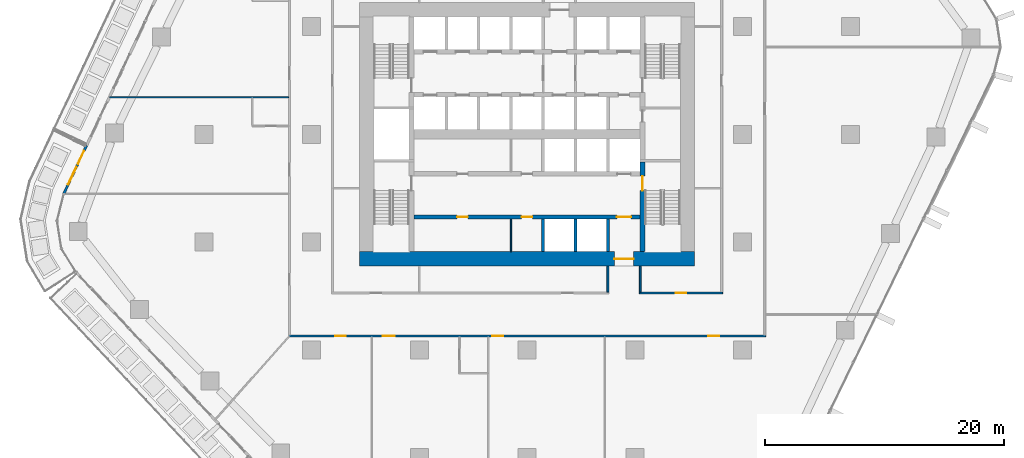
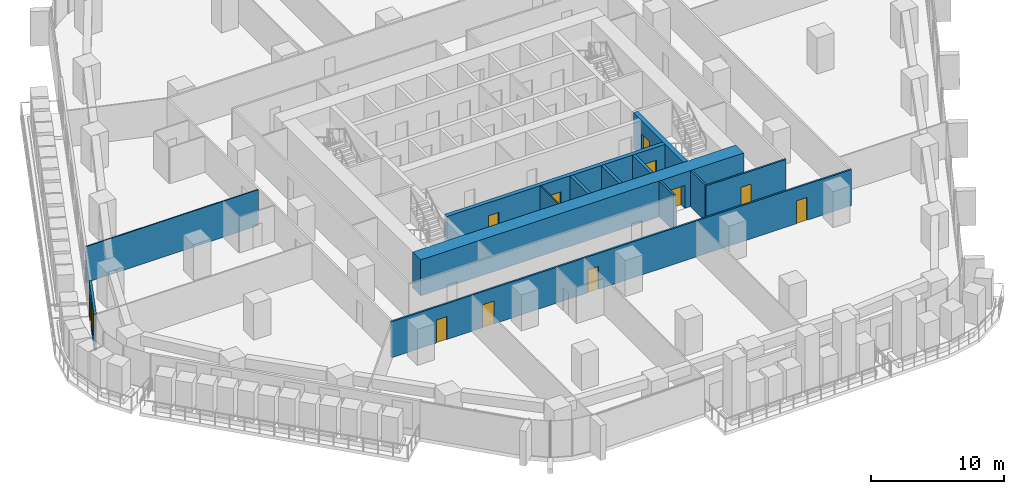
# One storey, part 14 of 25: 13 walls, 11 doors, 1 window, 12 openings.
"""IFC4 building model written with IfcOpenShell, lengths in metres."""

from ifc_helpers import new_model, si_unit, direction, frame, frame_2d, origin, place, context, subcontext, project, spatial, rectangle, extrude, material, layer, layer_set, type_object, element, fill, save


model = new_model("IFC4")

# Units and contexts
model_context = context("Model", 3, precision=1e-05, world=origin(), true_north=direction((0.0, 1.0)))
body_context = subcontext(model_context, "Body", "Model", "MODEL_VIEW")
ifc_project = project(units=[si_unit("LENGTHUNIT", "METRE"), si_unit("AREAUNIT", "SQUARE_METRE"), si_unit("VOLUMEUNIT", "CUBIC_METRE"), si_unit("PLANEANGLEUNIT", "RADIAN"), si_unit("MASSUNIT", "GRAM", prefix="KILO")], contexts=[model_context])

# Site, building, storey
site_placement = place(None, origin())
site = spatial("IfcSite", under=ifc_project, at=site_placement, CompositionType="ELEMENT")
building_placement = place(site_placement, origin())
building = spatial("IfcBuilding", under=site, at=building_placement, Name="Dongbaek Canopy Tower", CompositionType="ELEMENT")
storey_placement = place(building_placement, frame((0.0, 0.0, 81.0)))
storey = spatial("IfcBuildingStorey", under=building, at=storey_placement, Name="L16", CompositionType="ELEMENT", Elevation=81.0)

# Wall, openings, doors
ifc_material_1 = material(Name="Concrete C60/75", Category="concrete")
ifc_layer_1 = layer(ifc_material_1, 0.35009765625)
ifc_layer_set_1 = layer_set([ifc_layer_1], Name="Core lobby wall 350 Concrete C60/75")
wall_type_1 = type_object("IfcWallType", Name="Core lobby wall 350 Concrete C60/75", PredefinedType="SHEAR", material=ifc_layer_set_1)
wall_1_placement = place(storey_placement, frame((9.449951171875, -6.89990234375, 0.0), z_axis=(0.0, 0.0, 1.0), x_axis=(-1.0, 0.0, 0.0)))
wall_1 = element("IfcWall", 1, at=wall_1_placement, inside=storey, type_object=wall_type_1, Name="Core wall", PredefinedType="SHEAR", context=body_context, shape_type="SweptSolid", body=[
    extrude(rectangle(XDim=18.89990234375, YDim=0.35009765625, at=frame_2d((9.449951171875, 0.0))), origin(), (0.0, 0.0, 1.0), 3.300048828125),
])
opening_1_placement = place(wall_1_placement, frame((0.75, 0.0, 0.0)))
opening_1 = element("IfcOpeningElement", 2, at=opening_1_placement, cuts=wall_1, Name="Opening L16-D040", PredefinedType="OPENING", context=body_context, shape_type="SweptSolid", body=[
    extrude(rectangle(XDim=1.199951171875, YDim=2.10009765625, at=frame_2d((0.60009765625, 1.050048828125))), frame((0.0, 0.18505859375, 0.0), z_axis=(0.0, -1.0, 0.0), x_axis=(1.0, 0.0, 0.0)), (0.0, 0.0, 1.0), 0.3701171875),
])
opening_2_placement = place(wall_1_placement, frame((14.39990234375, 0.0, 0.0)))
opening_2 = element("IfcOpeningElement", 3, at=opening_2_placement, cuts=wall_1, Name="Opening L16-D043", PredefinedType="OPENING", context=body_context, shape_type="SweptSolid", body=[
    extrude(rectangle(XDim=0.89990234375, YDim=2.10009765625, at=frame_2d((0.449951171875, 1.050048828125))), frame((0.0, 0.18505859375, 0.0), z_axis=(0.0, -1.0, 0.0), x_axis=(1.0, 0.0, 0.0)), (0.0, 0.0, 1.0), 0.3701171875),
])
opening_3_placement = place(wall_1_placement, frame((9.0, 0.0, 0.0)))
opening_3 = element("IfcOpeningElement", 4, at=opening_3_placement, cuts=wall_1, Name="Opening L16-D044", PredefinedType="OPENING", context=body_context, shape_type="SweptSolid", body=[
    extrude(rectangle(XDim=0.89990234375, YDim=2.10009765625, at=frame_2d((0.449951171875, 1.050048828125))), frame((0.0, 0.18505859375, 0.0), z_axis=(0.0, -1.0, 0.0), x_axis=(1.0, 0.0, 0.0)), (0.0, 0.0, 1.0), 0.3701171875),
])
ifc_material_2 = material(Name="Steel", Category="steel")
door_type_1 = type_object("IfcDoorType", Name="Core room door 900 x 2100", OperationType="SINGLE_SWING_LEFT", PredefinedType="DOOR", material=ifc_material_2)
door_1_placement = place(opening_2_placement, origin())
door_1 = element("IfcDoor", 5, at=door_1_placement, inside=storey, type_object=door_type_1, Name="Door L16-D043", OperationType="SINGLE_SWING_RIGHT", OverallHeight=2.10009765625, OverallWidth=0.89990234375, PredefinedType="DOOR", context=body_context, shape_type="SweptSolid", body=[
    extrude(rectangle(XDim=0.89990234375, YDim=2.10009765625, at=frame_2d((0.449951171875, 1.050048828125))), frame((0.0, 0.02490234375, 0.0), z_axis=(0.0, -1.0, 0.0), x_axis=(1.0, 0.0, 0.0)), (0.0, 0.0, 1.0), 0.050048828125),
])
fill(opening_2, door_1)
door_2_placement = place(opening_3_placement, origin())
door_2 = element("IfcDoor", 6, at=door_2_placement, inside=storey, type_object=door_type_1, Name="Door L16-D044", OperationType="SINGLE_SWING_LEFT", OverallHeight=2.10009765625, OverallWidth=0.89990234375, PredefinedType="DOOR", context=body_context, shape_type="SweptSolid", body=[
    extrude(rectangle(XDim=0.89990234375, YDim=2.10009765625, at=frame_2d((0.449951171875, 1.050048828125))), frame((0.0, 0.02490234375, 0.0), z_axis=(0.0, -1.0, 0.0), x_axis=(1.0, 0.0, 0.0)), (0.0, 0.0, 1.0), 0.050048828125),
])
fill(opening_3, door_2)
ifc_material_3 = material(Name="Steel", Category="steel")
door_type_2 = type_object("IfcDoorType", Name="Fire lobby door 1200 x 2100", OperationType="SINGLE_SWING_LEFT", PredefinedType="DOOR", material=ifc_material_3)
door_3_placement = place(opening_1_placement, origin())
door_3 = element("IfcDoor", 7, at=door_3_placement, inside=storey, type_object=door_type_2, Name="Door L16-D040", OperationType="SINGLE_SWING_LEFT", OverallHeight=2.10009765625, OverallWidth=1.199951171875, PredefinedType="DOOR", context=body_context, shape_type="SweptSolid", body=[
    extrude(rectangle(XDim=1.199951171875, YDim=2.10009765625, at=frame_2d((0.60009765625, 1.050048828125))), frame((0.0, 0.02490234375, 0.0), z_axis=(0.0, -1.0, 0.0), x_axis=(1.0, 0.0, 0.0)), (0.0, 0.0, 1.0), 0.050048828125),
])
fill(opening_1, door_3)

# Wall, opening, door
ifc_material_4 = material(Name="Concrete C60/75", Category="concrete")
ifc_layer_2 = layer(ifc_material_4, 1.199951171875)
ifc_layer_set_2 = layer_set([ifc_layer_2], Name="Core outer wall 1200 Concrete C60/75")
wall_type_2 = type_object("IfcWallType", Name="Core outer wall 1200 Concrete C60/75", PredefinedType="SHEAR", material=ifc_layer_set_2)
wall_2_placement = place(storey_placement, frame((14.0, -10.39990234375, 0.0), z_axis=(0.0, 0.0, 1.0), x_axis=(-1.0, 0.0, 0.0)))
wall_2 = element("IfcWall", 8, at=wall_2_placement, inside=storey, type_object=wall_type_2, Name="Core wall", PredefinedType="SHEAR", context=body_context, shape_type="SweptSolid", body=[
    extrude(rectangle(XDim=28.0, YDim=1.199951171875, at=frame_2d((14.0, 0.0))), origin(), (0.0, 0.0, 1.0), 3.300048828125),
])
opening_4_placement = place(wall_2_placement, frame((5.10009765625, 0.0, 0.0)))
opening_4 = element("IfcOpeningElement", 9, at=opening_4_placement, cuts=wall_2, Name="Opening L16-D039", PredefinedType="OPENING", context=body_context, shape_type="SweptSolid", body=[
    extrude(rectangle(XDim=1.60009765625, YDim=2.10009765625, at=frame_2d((0.800048828125, 1.050048828125))), frame((0.0, 0.60986328125, 0.0), z_axis=(0.0, -1.0, 0.0), x_axis=(1.0, 0.0, 0.0)), (0.0, 0.0, 1.0), 1.219970703125),
])
ifc_material_5 = material(Name="Steel", Category="steel")
door_type_3 = type_object("IfcDoorType", Name="Core exit door 1600 x 2100", OperationType="DOUBLE_DOOR_SINGLE_SWING", PredefinedType="DOOR", material=ifc_material_5)
door_4_placement = place(opening_4_placement, origin())
door_4 = element("IfcDoor", 10, at=door_4_placement, inside=storey, type_object=door_type_3, Name="Core exit door", OperationType="DOUBLE_DOOR_SINGLE_SWING", OverallHeight=2.10009765625, OverallWidth=1.60009765625, PredefinedType="DOOR", context=body_context, shape_type="SweptSolid", body=[
    extrude(rectangle(XDim=1.60009765625, YDim=2.10009765625, at=frame_2d((0.800048828125, 1.050048828125))), frame((0.0, 0.02490234375, 0.0), z_axis=(0.0, -1.0, 0.0), x_axis=(1.0, 0.0, 0.0)), (0.0, 0.0, 1.0), 0.050048828125),
])
fill(opening_4, door_4)

# Wall, openings, doors
ifc_material_6 = material(Name="Gypsum board partition, steel stud, 2 x 15 mm fire board", Category="steel")
ifc_layer_3 = layer(ifc_material_6, 0.14990234375)
ifc_layer_set_3 = layer_set([ifc_layer_3], Name="Fire-rated partition 150 gypsum board")
wall_type_3 = type_object("IfcWallType", Name="Fire-rated partition 150 gypsum board", PredefinedType="PARTITIONING", material=ifc_layer_set_3)
wall_3_placement = place(storey_placement, frame((19.925048828125, -16.85009765625, 0.0), z_axis=(0.0, 0.0, 1.0), x_axis=(-1.0, 0.0, 0.0)))
wall_3 = element("IfcWall", 11, at=wall_3_placement, inside=storey, type_object=wall_type_3, Name="Corridor partition", PredefinedType="PARTITIONING", context=body_context, shape_type="SweptSolid", body=[
    extrude(rectangle(XDim=39.85009765625, YDim=0.14990234375, at=frame_2d((19.925048828125, 0.0))), origin(), (0.0, 0.0, 1.0), 3.300048828125),
])
opening_5_placement = place(wall_3_placement, frame((35.059814453125, 0.0, 0.0)))
opening_5 = element("IfcOpeningElement", 12, at=opening_5_placement, cuts=wall_3, Name="Opening L16-D004", PredefinedType="OPENING", context=body_context, shape_type="SweptSolid", body=[
    extrude(rectangle(XDim=0.89990234375, YDim=2.10009765625, at=frame_2d((0.449951171875, 1.050048828125))), frame((0.0, 0.0849609375, 0.0), z_axis=(0.0, -1.0, 0.0), x_axis=(1.0, 0.0, 0.0)), (0.0, 0.0, 1.0), 0.169921875),
])
opening_6_placement = place(wall_3_placement, frame((30.96728515625, 0.0, 0.0)))
opening_6 = element("IfcOpeningElement", 13, at=opening_6_placement, cuts=wall_3, Name="Opening L16-D006", PredefinedType="OPENING", context=body_context, shape_type="SweptSolid", body=[
    extrude(rectangle(XDim=1.0, YDim=2.10009765625, at=frame_2d((0.5, 1.050048828125))), frame((0.0, 0.0849609375, 0.0), z_axis=(0.0, -1.0, 0.0), x_axis=(1.0, 0.0, 0.0)), (0.0, 0.0, 1.0), 0.169921875),
])
opening_7_placement = place(wall_3_placement, frame((21.93359375, 0.0, 0.0)))
opening_7 = element("IfcOpeningElement", 14, at=opening_7_placement, cuts=wall_3, Name="Opening L16-D007", PredefinedType="OPENING", context=body_context, shape_type="SweptSolid", body=[
    extrude(rectangle(XDim=0.89990234375, YDim=2.10009765625, at=frame_2d((0.449951171875, 1.050048828125))), frame((0.0, 0.0849609375, 0.0), z_axis=(0.0, -1.0, 0.0), x_axis=(1.0, 0.0, 0.0)), (0.0, 0.0, 1.0), 0.169921875),
])
opening_8_placement = place(wall_3_placement, frame((3.878662109375, 0.0, 0.0)))
opening_8 = element("IfcOpeningElement", 15, at=opening_8_placement, cuts=wall_3, Name="Opening L16-D008", PredefinedType="OPENING", context=body_context, shape_type="SweptSolid", body=[
    extrude(rectangle(XDim=0.89990234375, YDim=2.10009765625, at=frame_2d((0.449951171875, 1.050048828125))), frame((0.0, 0.0849609375, 0.0), z_axis=(0.0, -1.0, 0.0), x_axis=(1.0, 0.0, 0.0)), (0.0, 0.0, 1.0), 0.169921875),
])
ifc_material_7 = material(Name="Timber veneered door leaf", Category="wood")
door_type_4 = type_object("IfcDoorType", Name="Guest room door 1000 x 2100", OperationType="SINGLE_SWING_LEFT", PredefinedType="DOOR", material=ifc_material_7)
door_5_placement = place(opening_6_placement, origin())
door_5 = element("IfcDoor", 16, at=door_5_placement, inside=storey, type_object=door_type_4, Name="Door L16-D006", OperationType="SINGLE_SWING_LEFT", OverallHeight=2.10009765625, OverallWidth=1.0, PredefinedType="DOOR", context=body_context, shape_type="SweptSolid", body=[
    extrude(rectangle(XDim=1.0, YDim=2.10009765625, at=frame_2d((0.5, 1.050048828125))), frame((0.0, 0.02490234375, 0.0), z_axis=(0.0, -1.0, 0.0), x_axis=(1.0, 0.0, 0.0)), (0.0, 0.0, 1.0), 0.050048828125),
])
fill(opening_6, door_5)
ifc_material_8 = material(Name="Timber veneered door leaf", Category="wood")
door_type_5 = type_object("IfcDoorType", Name="Room door 900 x 2100", OperationType="SINGLE_SWING_LEFT", PredefinedType="DOOR", material=ifc_material_8)
door_6_placement = place(opening_5_placement, origin())
door_6 = element("IfcDoor", 17, at=door_6_placement, inside=storey, type_object=door_type_5, Name="Door L16-D004", OperationType="SINGLE_SWING_RIGHT", OverallHeight=2.10009765625, OverallWidth=0.89990234375, PredefinedType="DOOR", context=body_context, shape_type="SweptSolid", body=[
    extrude(rectangle(XDim=0.89990234375, YDim=2.10009765625, at=frame_2d((0.449951171875, 1.050048828125))), frame((0.0, 0.02490234375, 0.0), z_axis=(0.0, -1.0, 0.0), x_axis=(1.0, 0.0, 0.0)), (0.0, 0.0, 1.0), 0.050048828125),
])
fill(opening_5, door_6)
door_7_placement = place(opening_7_placement, origin())
door_7 = element("IfcDoor", 18, at=door_7_placement, inside=storey, type_object=door_type_5, Name="Door L16-D007", OperationType="SINGLE_SWING_RIGHT", OverallHeight=2.10009765625, OverallWidth=0.89990234375, PredefinedType="DOOR", context=body_context, shape_type="SweptSolid", body=[
    extrude(rectangle(XDim=0.89990234375, YDim=2.10009765625, at=frame_2d((0.449951171875, 1.050048828125))), frame((0.0, 0.02490234375, 0.0), z_axis=(0.0, -1.0, 0.0), x_axis=(1.0, 0.0, 0.0)), (0.0, 0.0, 1.0), 0.050048828125),
])
fill(opening_7, door_7)
door_8_placement = place(opening_8_placement, origin())
door_8 = element("IfcDoor", 19, at=door_8_placement, inside=storey, type_object=door_type_5, Name="Door L16-D008", OperationType="SINGLE_SWING_LEFT", OverallHeight=2.10009765625, OverallWidth=0.89990234375, PredefinedType="DOOR", context=body_context, shape_type="SweptSolid", body=[
    extrude(rectangle(XDim=0.89990234375, YDim=2.10009765625, at=frame_2d((0.449951171875, 1.050048828125))), frame((0.0, 0.02490234375, 0.0), z_axis=(0.0, -1.0, 0.0), x_axis=(1.0, 0.0, 0.0)), (0.0, 0.0, 1.0), 0.050048828125),
])
fill(opening_8, door_8)

# Wall, opening, door
wall_4_placement = place(storey_placement, frame((9.375, -13.25, 0.0), z_axis=(0.0, 0.0, 1.0), x_axis=(1.0, 0.0, 0.0)))
wall_4 = element("IfcWall", 20, at=wall_4_placement, inside=storey, type_object=wall_type_3, Name="Corridor partition", PredefinedType="PARTITIONING", context=body_context, shape_type="SweptSolid", body=[
    extrude(rectangle(XDim=6.949951171875, YDim=0.14990234375, at=frame_2d((3.47509765625, 0.0))), origin(), (0.0, 0.0, 1.0), 3.300048828125),
])
opening_9_placement = place(wall_4_placement, frame((3.02490234375, 0.0, 0.0)))
opening_9 = element("IfcOpeningElement", 21, at=opening_9_placement, cuts=wall_4, Name="Opening L16-D016", PredefinedType="OPENING", context=body_context, shape_type="SweptSolid", body=[
    extrude(rectangle(XDim=0.89990234375, YDim=2.10009765625, at=frame_2d((0.449951171875, 1.050048828125))), frame((0.0, 0.0849609375, 0.0), z_axis=(0.0, -1.0, 0.0), x_axis=(1.0, 0.0, 0.0)), (0.0, 0.0, 1.0), 0.169921875),
])
door_9_placement = place(opening_9_placement, origin())
door_9 = element("IfcDoor", 22, at=door_9_placement, inside=storey, type_object=door_type_5, Name="Door L16-D016", OperationType="SINGLE_SWING_RIGHT", OverallHeight=2.10009765625, OverallWidth=0.89990234375, PredefinedType="DOOR", context=body_context, shape_type="SweptSolid", body=[
    extrude(rectangle(XDim=0.89990234375, YDim=2.10009765625, at=frame_2d((0.449951171875, 1.050048828125))), frame((0.0, 0.02490234375, 0.0), z_axis=(0.0, -1.0, 0.0), x_axis=(1.0, 0.0, 0.0)), (0.0, 0.0, 1.0), 0.050048828125),
])
fill(opening_9, door_9)

# Walls
for number, where, z_axis, x_axis, name in (
    (23, (9.449951171875, -13.175048828125, 0.0), (0.0, 0.0, 1.0), (0.0, 1.0, 0.0), "Corridor partition"),
    (24, (6.75, -13.175048828125, 0.0), (0.0, 0.0, 1.0), (0.0, 1.0, 0.0), "Corridor partition"),
):
    element("IfcWall", number, at=place(storey_placement, frame(where, z_axis=z_axis, x_axis=x_axis)), inside=storey, type_object=wall_type_3, Name=name, PredefinedType="PARTITIONING", context=body_context, shape_type="SweptSolid", body=[
        extrude(rectangle(XDim=2.175048828125, YDim=0.14990234375, at=frame_2d((1.08740234375, 0.0))), origin(), (0.0, 0.0, 1.0), 3.300048828125),
    ])
ifc_material_9 = material(Name="Concrete C40/50", Category="concrete")
ifc_layer_4 = layer(ifc_material_9, 0.25)
ifc_layer_set_4 = layer_set([ifc_layer_4], Name="Lift shaft wall 250 Concrete C40/50")
wall_type_4 = type_object("IfcWallType", Name="Lift shaft wall 250 Concrete C40/50", PredefinedType="SOLIDWALL", material=ifc_layer_set_4)
for number, where, z_axis, x_axis, name in (
    (25, (6.75, -9.800048828125, 0.0), (0.0, 0.0, 1.0), (0.0, 1.0, 0.0), "Lift shaft wall"),
    (26, (4.050048828125, -9.800048828125, 0.0), (0.0, 0.0, 1.0), (0.0, 1.0, 0.0), "Lift shaft wall"),
    (27, (1.35009765625, -9.800048828125, 0.0), (0.0, 0.0, 1.0), (0.0, 1.0, 0.0), "Lift shaft wall"),
):
    element("IfcWall", number, at=place(storey_placement, frame(where, z_axis=z_axis, x_axis=x_axis)), inside=storey, type_object=wall_type_4, Name=name, PredefinedType="SOLIDWALL", context=body_context, shape_type="SweptSolid", body=[
        extrude(rectangle(XDim=2.72509765625, YDim=0.25, at=frame_2d((1.362548828125, 0.0))), origin(), (0.0, 0.0, 1.0), 3.300048828125),
    ])
ifc_material_10 = material(Name="Gypsum board partition, steel stud, 2 x 12.5 mm board", Category="steel")
ifc_layer_5 = layer(ifc_material_10, 0.10009765625)
ifc_layer_set_5 = layer_set([ifc_layer_5], Name="Partition 100 gypsum board")
wall_type_5 = type_object("IfcWallType", Name="Partition 100 gypsum board", PredefinedType="PARTITIONING", material=ifc_layer_set_5)
wall_5_placement = place(storey_placement, frame((-34.86767578125, 3.097900390625, 0.0), z_axis=(0.0, 0.0, 1.0), x_axis=(1.0, 0.0, 0.0)))
element("IfcWall", 28, at=wall_5_placement, inside=storey, type_object=wall_type_5, Name="Partition", PredefinedType="PARTITIONING", context=body_context, shape_type="SweptSolid", body=[
    extrude(rectangle(XDim=14.942626953125, YDim=0.10009765625, at=frame_2d((7.47119140625, 0.0))), origin(), (0.0, 0.0, 1.0), 3.300048828125),
])
wall_6_placement = place(storey_placement, frame((-1.35009765625, -9.800048828125, 0.0), z_axis=(0.0, 0.0, 1.0), x_axis=(0.0, 1.0, 0.0)))
element("IfcWall", 29, at=wall_6_placement, inside=storey, type_object=wall_type_5, Name="Core partition", PredefinedType="PARTITIONING", context=body_context, shape_type="SweptSolid", body=[
    extrude(rectangle(XDim=2.72509765625, YDim=0.10009765625, at=frame_2d((1.362548828125, 0.0))), origin(), (0.0, 0.0, 1.0), 3.300048828125),
])

# Wall, opening, door
ifc_material_11 = material(Name="Concrete C60/75", Category="concrete")
ifc_layer_6 = layer(ifc_material_11, 0.39990234375)
ifc_layer_set_6 = layer_set([ifc_layer_6], Name="Stair wall 400 Concrete C60/75")
wall_type_6 = type_object("IfcWallType", Name="Stair wall 400 Concrete C60/75", PredefinedType="SHEAR", material=ifc_layer_set_6)
wall_7_placement = place(storey_placement, frame((9.64990234375, -2.300048828125, 0.0), z_axis=(0.0, 0.0, 1.0), x_axis=(0.0, -1.0, 0.0)))
wall_7 = element("IfcWall", 30, at=wall_7_placement, inside=storey, type_object=wall_type_6, Name="Stair wall", PredefinedType="SHEAR", context=body_context, shape_type="SweptSolid", body=[
    extrude(rectangle(XDim=7.5, YDim=0.39990234375, at=frame_2d((3.75, 0.0))), origin(), (0.0, 0.0, 1.0), 3.300048828125),
])
opening_10_placement = place(wall_7_placement, frame((1.199951171875, 0.0, 0.0)))
opening_10 = element("IfcOpeningElement", 31, at=opening_10_placement, cuts=wall_7, Name="Opening L16-D047", PredefinedType="OPENING", context=body_context, shape_type="SweptSolid", body=[
    extrude(rectangle(XDim=1.199951171875, YDim=2.10009765625, at=frame_2d((0.60009765625, 1.050048828125))), frame((0.0, 0.2099609375, 0.0), z_axis=(0.0, -1.0, 0.0), x_axis=(1.0, 0.0, 0.0)), (0.0, 0.0, 1.0), 0.419921875),
])
ifc_material_12 = material(Name="Steel", Category="steel")
door_type_6 = type_object("IfcDoorType", Name="Stair door 1200 x 2100", OperationType="SINGLE_SWING_LEFT", PredefinedType="DOOR", material=ifc_material_12)
door_10_placement = place(opening_10_placement, origin())
door_10 = element("IfcDoor", 32, at=door_10_placement, inside=storey, type_object=door_type_6, Name="Stair B door", OperationType="SINGLE_SWING_RIGHT", OverallHeight=2.10009765625, OverallWidth=1.199951171875, PredefinedType="DOOR", context=body_context, shape_type="SweptSolid", body=[
    extrude(rectangle(XDim=1.199951171875, YDim=2.10009765625, at=frame_2d((0.60009765625, 1.050048828125))), frame((0.0, 0.02490234375, 0.0), z_axis=(0.0, -1.0, 0.0), x_axis=(1.0, 0.0, 0.0)), (0.0, 0.0, 1.0), 0.050048828125),
])
fill(opening_10, door_10)

# Wall, openings, door, window
ifc_material_13 = material(Name="Aluminium window wall", Category="aluminium")
ifc_layer_7 = layer(ifc_material_13, 0.199951171875)
ifc_layer_set_7 = layer_set([ifc_layer_7], Name="Window wall 200")
wall_type_7 = type_object("IfcWallType", Name="Window wall 200", PredefinedType="SOLIDWALL", material=ifc_layer_set_7)
wall_8_placement = place(storey_placement, frame((-36.7939453125, -0.9326171875, 0.0), z_axis=(0.0, 0.0, 1.0), x_axis=(-0.427189555154, -0.904162089433, 0.0)))
wall_8 = element("IfcWall", 33, at=wall_8_placement, inside=storey, type_object=wall_type_7, Name="Window wall L16 6", PredefinedType="SOLIDWALL", context=body_context, shape_type="SweptSolid", body=[
    extrude(rectangle(XDim=4.447998046875, YDim=0.199951171875, at=frame_2d((2.22412109375, 0.0))), origin(), (0.0, 0.0, 1.0), 3.300048828125),
])
opening_11_placement = place(wall_8_placement, frame((2.0, 0.0, 0.60009765625)))
opening_11 = element("IfcOpeningElement", 34, at=opening_11_placement, cuts=wall_8, Name="Opening W1", PredefinedType="OPENING", context=body_context, shape_type="SweptSolid", body=[
    extrude(rectangle(XDim=1.60009765625, YDim=2.39990234375, at=frame_2d((0.800048828125, 1.199951171875))), frame((0.0, 0.10986328125, 0.0), z_axis=(0.0, -1.0, 0.0), x_axis=(1.0, 0.0, 0.0)), (0.0, 0.0, 1.0), 0.219970703125),
])
opening_12_placement = place(wall_8_placement, frame((0.5, 0.0, 0.0)))
opening_12 = element("IfcOpeningElement", 35, at=opening_12_placement, cuts=wall_8, Name="Opening L16-B12", PredefinedType="OPENING", context=body_context, shape_type="SweptSolid", body=[
    extrude(rectangle(XDim=1.199951171875, YDim=2.39990234375, at=frame_2d((0.60009765625, 1.199951171875))), frame((0.0, 0.10986328125, 0.0), z_axis=(0.0, -1.0, 0.0), x_axis=(1.0, 0.0, 0.0)), (0.0, 0.0, 1.0), 0.219970703125),
])
ifc_material_14 = material(Name="Clear glazing in aluminium frame", Category="aluminium")
door_type_7 = type_object("IfcDoorType", Name="Balcony door BD1 1200 x 2400", OperationType="SLIDING_TO_LEFT", PredefinedType="DOOR", material=ifc_material_14)
door_11_placement = place(opening_12_placement, origin())
door_11 = element("IfcDoor", 36, at=door_11_placement, inside=storey, type_object=door_type_7, Name="Balcony door L16-B12", OperationType="SLIDING_TO_LEFT", OverallHeight=2.39990234375, OverallWidth=1.199951171875, PredefinedType="DOOR", context=body_context, shape_type="SweptSolid", body=[
    extrude(rectangle(XDim=1.199951171875, YDim=2.39990234375, at=frame_2d((0.60009765625, 1.199951171875))), frame((0.0, 0.02490234375, 0.0), z_axis=(0.0, -1.0, 0.0), x_axis=(1.0, 0.0, 0.0)), (0.0, 0.0, 1.0), 0.050048828125),
])
fill(opening_12, door_11)
ifc_material_15 = material(Name="Clear glazing in aluminium frame", Category="aluminium")
window_type = type_object("IfcWindowType", Name="Window W1 1600 x 2400", PartitioningType="SINGLE_PANEL", PredefinedType="WINDOW", material=ifc_material_15)
window_placement = place(opening_11_placement, origin())
window = element("IfcWindow", 37, at=window_placement, inside=storey, type_object=window_type, Name="Window L16 6.1", OverallHeight=2.39990234375, OverallWidth=1.60009765625, PartitioningType="SINGLE_PANEL", PredefinedType="WINDOW", context=body_context, shape_type="SweptSolid", body=[
    extrude(rectangle(XDim=1.60009765625, YDim=2.39990234375, at=frame_2d((0.800048828125, 1.199951171875))), frame((0.0, 0.030029296875, 0.0), z_axis=(0.0, -1.0, 0.0), x_axis=(1.0, 0.0, 0.0)), (0.0, 0.0, 1.0), 0.06005859375),
])
fill(opening_11, window)

save(model, "model.ifc")
